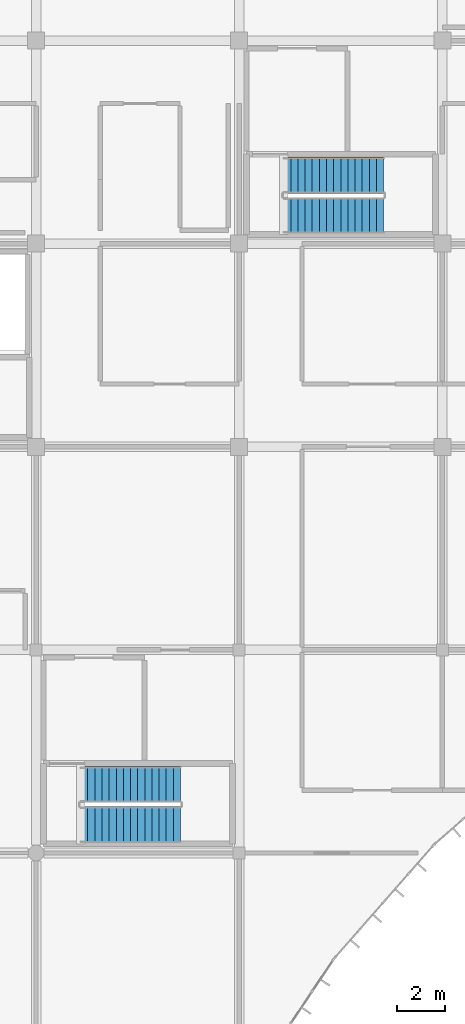
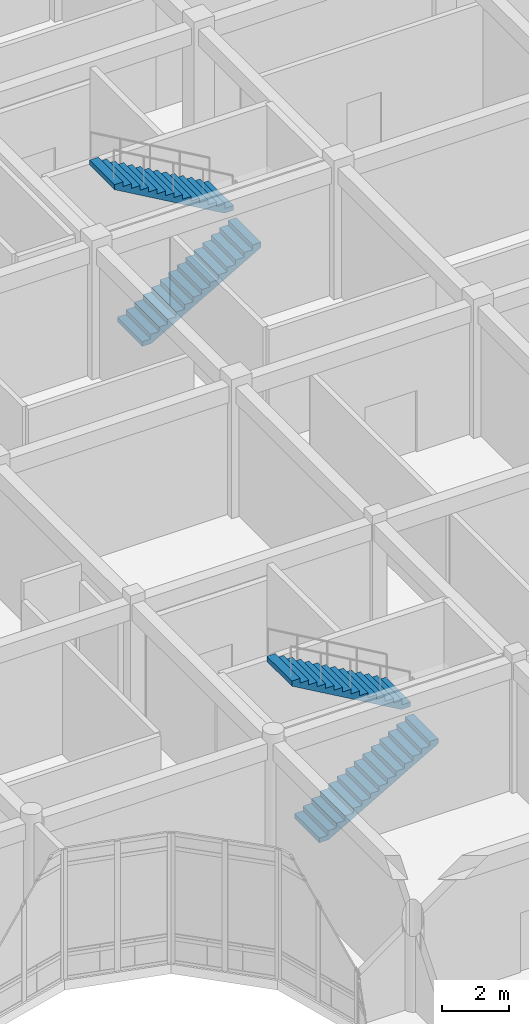
# One storey, part 114 of 134: 4 stair flights, 2 elements without a shape of their own.
"""IFC4 building model written with IfcOpenShell, lengths in metres."""

import ifcopenshell
import ifcopenshell.guid

model = None  # the IFC model being written
_history = None  # IfcOwnerHistory: only IFC2X3 demands one
_inside = {}  # id of a spatial element -> (the spatial element, [elements in it])
_under = {}  # id of a project, library or spatial element -> (it, [spatial elements below it])
_declared = {}  # id of a project -> (the project, [libraries it declares])
_typed = {}  # id of a type object -> (the type object, [elements of that type])
_made_of = {}  # id of a material, layer set ... -> (it, [elements and type objects made of it])


def new_model(schema):
    """Start an empty IFC model of exactly this schema.

    Asked for "IFC4X3", IfcOpenShell would pick the latest addendum, in which some entities
    have other attributes; the version numbers below select the first issue.
    IFC2X3 requires an IfcOwnerHistory on every rooted entity: one is made here for all.
    """
    global model, _history
    if schema == "IFC4X3":
        model = ifcopenshell.file(schema_version=(4, 3, 0, 0))
    else:
        model = ifcopenshell.file(schema=schema)
    _inside.clear()
    _under.clear()
    _declared.clear()
    _typed.clear()
    _made_of.clear()
    _history = None
    if model.schema == "IFC2X3":
        org = make("IfcOrganization", Name="unknown")
        user = make(
            "IfcPersonAndOrganization",
            ThePerson=make("IfcPerson", FamilyName="unknown"),
            TheOrganization=org,
        )
        app = make(
            "IfcApplication",
            ApplicationDeveloper=org,
            Version="unknown",
            ApplicationFullName="unknown",
            ApplicationIdentifier="unknown",
        )
        _history = make(
            "IfcOwnerHistory",
            OwningUser=user,
            OwningApplication=app,
            ChangeAction="ADDED",
            CreationDate=0,
        )
    return model


def make(cls, **values):
    """One entity of the class cls with the attributes given. An attribute that is None is left unset."""
    return model.create_entity(
        cls, **{name: value for name, value in values.items() if value is not None}
    )


def rooted(cls, **values):
    """An entity with a GlobalId (a new one), such as an element, a storey or a relation."""
    return make(cls, GlobalId=ifcopenshell.guid.new(), OwnerHistory=_history, **values)


def si_unit(unit_type, name, prefix=None):
    """IfcSIUnit, for example si_unit("LENGTHUNIT", "METRE", prefix="MILLI")."""
    return make("IfcSIUnit", UnitType=unit_type, Prefix=prefix, Name=name)


def assignment(units):
    """IfcUnitAssignment: the units of a project."""
    return None if units is None else make("IfcUnitAssignment", Units=units)


def point(xyz):
    """IfcCartesianPoint."""
    return None if xyz is None else make("IfcCartesianPoint", Coordinates=xyz)


def direction(xyz):
    """IfcDirection."""
    return None if xyz is None else make("IfcDirection", DirectionRatios=xyz)


def frame(location, z_axis=None, x_axis=None):
    """IfcAxis2Placement3D, a coordinate frame: its origin and axes. An axis left out is left unset."""
    return make(
        "IfcAxis2Placement3D",
        Location=point(location),
        Axis=direction(z_axis),
        RefDirection=direction(x_axis),
    )


def origin():
    """The frame at (0, 0, 0) with its axes left unset."""
    return frame((0.0, 0.0, 0.0))


def place(relative_to, where):
    """IfcLocalPlacement: puts the frame where relative to a parent placement (None: the world)."""
    return make(
        "IfcLocalPlacement", PlacementRelTo=relative_to, RelativePlacement=where
    )


def context(
    kind, dimensions, precision=None, world=None, true_north=None, identifier=None
):
    """IfcGeometricRepresentationContext, for example the 3D "Model" context."""
    return make(
        "IfcGeometricRepresentationContext",
        ContextIdentifier=identifier,
        ContextType=kind,
        CoordinateSpaceDimension=dimensions,
        Precision=precision,
        WorldCoordinateSystem=world,
        TrueNorth=true_north,
    )


def subcontext(parent, identifier, kind, view, scale=None):
    """IfcGeometricRepresentationSubContext, for example "Body" below "Model"."""
    return make(
        "IfcGeometricRepresentationSubContext",
        ContextIdentifier=identifier,
        ContextType=kind,
        ParentContext=parent,
        TargetScale=scale,
        TargetView=view,
    )


def project(units=None, contexts=None):
    """IfcProject with its units and contexts."""
    return rooted(
        "IfcProject",
        Name="project",
        RepresentationContexts=contexts,
        UnitsInContext=assignment(units),
    )


def spatial(cls, under=None, at=None, **own):
    """A site, building, storey or space (cls), placed at a placement, below another one or the project."""
    s = rooted(cls, ObjectPlacement=at, **own)
    if under is not None:
        _under.setdefault(under.id(), (under, []))[1].append(s)
    return s


def polyline(points):
    """IfcPolyline through the points."""
    return make("IfcPolyline", Points=[point(p) for p in points])


def outline(outer, holes=None, kind="AREA"):
    """IfcArbitraryClosedProfileDef: a profile drawn as a closed curve; with holes, ...WithVoids."""
    if holes is None:
        return make("IfcArbitraryClosedProfileDef", ProfileType=kind, OuterCurve=outer)
    return make(
        "IfcArbitraryProfileDefWithVoids",
        ProfileType=kind,
        OuterCurve=outer,
        InnerCurves=holes,
    )


def extrude(swept, where, along, depth):
    """IfcExtrudedAreaSolid: the profile swept, set in the frame where, extruded along a direction by depth."""
    return make(
        "IfcExtrudedAreaSolid",
        SweptArea=swept,
        Position=where,
        ExtrudedDirection=direction(along),
        Depth=depth,
    )


def shape(context_of_items, identifier, shape_type, items):
    """IfcShapeRepresentation: the items that make up one representation, for example the "Body"."""
    return make(
        "IfcShapeRepresentation",
        ContextOfItems=context_of_items,
        RepresentationIdentifier=identifier,
        RepresentationType=shape_type,
        Items=items,
    )


def material(Name=None, Category=None):
    """IfcMaterial."""
    return make("IfcMaterial", Name=Name, Category=Category)


def made_of(thing, what):
    """Note that an element or type object is made of a material, layer set ...; save() writes the relation."""
    if what is not None:
        _made_of.setdefault(what.id(), (what, []))[1].append(thing)
    return thing


def type_object(cls, material=None, **own):
    """A type object (cls), such as IfcWallType, which elements share."""
    return made_of(rooted(cls, **own), material)


def element(
    cls,
    number,
    at=None,
    inside=None,
    cuts=None,
    type_object=None,
    material=None,
    context=None,
    identifier="Body",
    shape_type=None,
    held_by="IfcProductDefinitionShape",
    body=None,
    shapes=None,
    **own,
):
    """One element of the class cls, such as IfcWall. Its Tag is "e" and its number.

    at: its placement. inside: the storey or other place that contains it. cuts: it is an
    opening in that element (IfcRelVoidsElement). A single representation is given by context,
    identifier, shape_type and body (its items); several are given by shapes. held_by: the class
    of the entity that holds the representations. save() writes the other relations.
    """
    e = rooted(cls, Tag="e%d" % number, ObjectPlacement=at, **own)
    if body is not None:
        shapes = [shape(context, identifier, shape_type, body)]
    if shapes is not None:
        e.Representation = make(held_by, Representations=shapes)
    if inside is not None:
        _inside.setdefault(inside.id(), (inside, []))[1].append(e)
    if cuts is not None:
        rooted(
            "IfcRelVoidsElement", RelatingBuildingElement=cuts, RelatedOpeningElement=e
        )
    if type_object is not None:
        _typed.setdefault(type_object.id(), (type_object, []))[1].append(e)
    return made_of(e, material)


def aggregate(whole, parts):
    """IfcRelAggregates: a whole, such as a stair, and the parts it consists of."""
    return rooted("IfcRelAggregates", RelatingObject=whole, RelatedObjects=parts)


def save(model, path):
    """Write the relations noted so far, then the file.

    IfcRelAggregates (storeys below a building ...), IfcRelContainedInSpatialStructure (elements
    in a storey), IfcRelDefinesByType, IfcRelAssociatesMaterial and IfcRelDeclares: one each for
    every whole, place, type object, material and project.
    """
    for whole, parts in _under.values():
        aggregate(whole, parts)
    for where, things in _inside.values():
        rooted(
            "IfcRelContainedInSpatialStructure",
            RelatedElements=things,
            RelatingStructure=where,
        )
    for kind, things in _typed.values():
        rooted("IfcRelDefinesByType", RelatedObjects=things, RelatingType=kind)
    for what, things in _made_of.values():
        rooted("IfcRelAssociatesMaterial", RelatedObjects=things, RelatingMaterial=what)
    for by, libraries in _declared.values():
        rooted("IfcRelDeclares", RelatingContext=by, RelatedDefinitions=libraries)
    model.write(path)


model = new_model("IFC4")

# Units and contexts
model_context = context("Model", 3, precision=1e-05, world=origin(), true_north=direction((0.0, 1.0)))
body_context = subcontext(model_context, "Body", "Model", "MODEL_VIEW")
ifc_project = project(units=[si_unit("LENGTHUNIT", "METRE"), si_unit("AREAUNIT", "SQUARE_METRE"), si_unit("VOLUMEUNIT", "CUBIC_METRE"), si_unit("PLANEANGLEUNIT", "RADIAN"), si_unit("MASSUNIT", "GRAM", prefix="KILO")], contexts=[model_context])

# Site, building, storey
site_placement = place(None, origin())
site = spatial("IfcSite", under=ifc_project, at=site_placement, CompositionType="ELEMENT")
building_placement = place(site_placement, origin())
building = spatial("IfcBuilding", under=site, at=building_placement, Name="Bramfleet General Hospital", CompositionType="ELEMENT")
storey_placement = place(building_placement, frame((0.0, 0.0, 9.300048828125)))
storey = spatial("IfcBuildingStorey", under=building, at=storey_placement, Name="L02", CompositionType="ELEMENT", Elevation=9.300048828125)

# Stair, stair flights
ifc_material = material(Name="Concrete C35/45", Category="concrete")
stair_type = type_object("IfcStairType", Name="STR-T1", PredefinedType="HALF_TURN_STAIR", material=ifc_material)
stair_1_placement = place(storey_placement, origin())
stair_1 = element("IfcStair", 1, at=stair_1_placement, inside=storey, type_object=stair_type, Name="L02 Core C9 (North-East Ward & Diagnostic Escape) Protected Escape Stair", PredefinedType="HALF_TURN_STAIR")
stair_flight_type = type_object("IfcStairFlightType", Name="STF-T1", PredefinedType="STRAIGHT", material=ifc_material)
stair_flight_1_placement = place(storey_placement, frame((136.239990234375, 101.969970703125, 0.0), z_axis=(0.0, 0.0, 1.0), x_axis=(1.0, 0.0, 0.0)))
stair_flight_1 = element("IfcStairFlight", 2, at=stair_flight_1_placement, type_object=stair_flight_type, Name="ST-C9 flight 1", NumberOfRisers=15, NumberOfTreads=14, PredefinedType="STRAIGHT", RiserHeight=0.17, TreadLength=0.295, context=body_context, shape_type="SweptSolid", body=[
    extrude(outline(polyline([(0.0, 0.0), (0.0, 0.169921875), (0.294921875, 0.169921875), (0.294921875, 0.340087890625), (0.590087890625, 0.340087890625), (0.590087890625, 0.510009765625), (0.885009765625, 0.510009765625), (0.885009765625, 0.679931640625), (1.179931640625, 0.679931640625), (1.179931640625, 0.85009765625), (1.47509765625, 0.85009765625), (1.47509765625, 1.02001953125), (1.77001953125, 1.02001953125), (1.77001953125, 1.18994140625), (2.06494140625, 1.18994140625), (2.06494140625, 1.360107421875), (2.360107421875, 1.360107421875), (2.360107421875, 1.530029296875), (2.655029296875, 1.530029296875), (2.655029296875, 1.699951171875), (2.949951171875, 1.699951171875), (2.949951171875, 1.8701171875), (3.2451171875, 1.8701171875), (3.2451171875, 2.0400390625), (3.5400390625, 2.0400390625), (3.5400390625, 2.2099609375), (3.8349609375, 2.2099609375), (3.8349609375, 2.3798828125), (4.1298828125, 2.3798828125), (4.1298828125, 2.550048828125), (4.1298828125, 2.195556640625), (0.3203125, 0.0), (0.0, 0.0)])), frame((0.0, 0.75, 0.0), z_axis=(0.0, -1.0, 0.0), x_axis=(1.0, 0.0, 0.0)), (0.0, 0.0, 1.0), 1.5),
])
stair_flight_2_placement = place(storey_placement, frame((140.3701171875, 103.6298828125, 2.550048828125), z_axis=(0.0, 0.0, 1.0), x_axis=(-1.0, 0.0, 0.0)))
stair_flight_2 = element("IfcStairFlight", 3, at=stair_flight_2_placement, type_object=stair_flight_type, Name="ST-C9 flight 2", NumberOfRisers=15, NumberOfTreads=14, PredefinedType="STRAIGHT", RiserHeight=0.17, TreadLength=0.295, context=body_context, shape_type="SweptSolid", body=[
    extrude(outline(polyline([(0.0, 0.0), (0.0, 0.169921875), (0.294921875, 0.169921875), (0.294921875, 0.340087890625), (0.590087890625, 0.340087890625), (0.590087890625, 0.510009765625), (0.885009765625, 0.510009765625), (0.885009765625, 0.679931640625), (1.179931640625, 0.679931640625), (1.179931640625, 0.85009765625), (1.47509765625, 0.85009765625), (1.47509765625, 1.02001953125), (1.77001953125, 1.02001953125), (1.77001953125, 1.18994140625), (2.06494140625, 1.18994140625), (2.06494140625, 1.360107421875), (2.360107421875, 1.360107421875), (2.360107421875, 1.530029296875), (2.655029296875, 1.530029296875), (2.655029296875, 1.699951171875), (2.949951171875, 1.699951171875), (2.949951171875, 1.8701171875), (3.2451171875, 1.8701171875), (3.2451171875, 2.0400390625), (3.5400390625, 2.0400390625), (3.5400390625, 2.2099609375), (3.8349609375, 2.2099609375), (3.8349609375, 2.3798828125), (4.1298828125, 2.3798828125), (4.1298828125, 2.550048828125), (4.1298828125, 2.195556640625), (0.3203125, 0.0), (0.0, 0.0)])), frame((0.0, 0.75, 0.0), z_axis=(0.0, -1.0, 0.0), x_axis=(1.0, 0.0, 0.0)), (0.0, 0.0, 1.0), 1.5),
])
aggregate(stair_1, [stair_flight_1, stair_flight_2])

stair_2_placement = place(storey_placement, origin())
stair_2 = element("IfcStair", 4, at=stair_2_placement, inside=storey, type_object=stair_type, Name="L02 Core C12 (East Diagnostic Base Escape) Protected Escape Stair", PredefinedType="HALF_TURN_STAIR")
stair_flight_3_placement = place(storey_placement, frame((127.840087890625, 76.77001953125, 0.0), z_axis=(0.0, 0.0, 1.0), x_axis=(1.0, 0.0, 0.0)))
stair_flight_3 = element("IfcStairFlight", 5, at=stair_flight_3_placement, type_object=stair_flight_type, Name="ST-C12 flight 1", NumberOfRisers=15, NumberOfTreads=14, PredefinedType="STRAIGHT", RiserHeight=0.17, TreadLength=0.295, context=body_context, shape_type="SweptSolid", body=[
    extrude(outline(polyline([(0.0, 0.0), (0.0, 0.169921875), (0.294921875, 0.169921875), (0.294921875, 0.340087890625), (0.590087890625, 0.340087890625), (0.590087890625, 0.510009765625), (0.885009765625, 0.510009765625), (0.885009765625, 0.679931640625), (1.179931640625, 0.679931640625), (1.179931640625, 0.85009765625), (1.47509765625, 0.85009765625), (1.47509765625, 1.02001953125), (1.77001953125, 1.02001953125), (1.77001953125, 1.18994140625), (2.06494140625, 1.18994140625), (2.06494140625, 1.360107421875), (2.360107421875, 1.360107421875), (2.360107421875, 1.530029296875), (2.655029296875, 1.530029296875), (2.655029296875, 1.699951171875), (2.949951171875, 1.699951171875), (2.949951171875, 1.8701171875), (3.2451171875, 1.8701171875), (3.2451171875, 2.0400390625), (3.5400390625, 2.0400390625), (3.5400390625, 2.2099609375), (3.8349609375, 2.2099609375), (3.8349609375, 2.3798828125), (4.1298828125, 2.3798828125), (4.1298828125, 2.550048828125), (4.1298828125, 2.195556640625), (0.3203125, 0.0), (0.0, 0.0)])), frame((0.0, 0.75, 0.0), z_axis=(0.0, -1.0, 0.0), x_axis=(1.0, 0.0, 0.0)), (0.0, 0.0, 1.0), 1.5),
])
stair_flight_4_placement = place(storey_placement, frame((131.969970703125, 78.429931640625, 2.550048828125), z_axis=(0.0, 0.0, 1.0), x_axis=(-1.0, 0.0, 0.0)))
stair_flight_4 = element("IfcStairFlight", 6, at=stair_flight_4_placement, type_object=stair_flight_type, Name="ST-C12 flight 2", NumberOfRisers=15, NumberOfTreads=14, PredefinedType="STRAIGHT", RiserHeight=0.17, TreadLength=0.295, context=body_context, shape_type="SweptSolid", body=[
    extrude(outline(polyline([(0.0, 0.0), (0.0, 0.169921875), (0.294921875, 0.169921875), (0.294921875, 0.340087890625), (0.590087890625, 0.340087890625), (0.590087890625, 0.510009765625), (0.885009765625, 0.510009765625), (0.885009765625, 0.679931640625), (1.179931640625, 0.679931640625), (1.179931640625, 0.85009765625), (1.47509765625, 0.85009765625), (1.47509765625, 1.02001953125), (1.77001953125, 1.02001953125), (1.77001953125, 1.18994140625), (2.06494140625, 1.18994140625), (2.06494140625, 1.360107421875), (2.360107421875, 1.360107421875), (2.360107421875, 1.530029296875), (2.655029296875, 1.530029296875), (2.655029296875, 1.699951171875), (2.949951171875, 1.699951171875), (2.949951171875, 1.8701171875), (3.2451171875, 1.8701171875), (3.2451171875, 2.0400390625), (3.5400390625, 2.0400390625), (3.5400390625, 2.2099609375), (3.8349609375, 2.2099609375), (3.8349609375, 2.3798828125), (4.1298828125, 2.3798828125), (4.1298828125, 2.550048828125), (4.1298828125, 2.195556640625), (0.3203125, 0.0), (0.0, 0.0)])), frame((0.0, 0.75, 0.0), z_axis=(0.0, -1.0, 0.0), x_axis=(1.0, 0.0, 0.0)), (0.0, 0.0, 1.0), 1.5),
])
aggregate(stair_2, [stair_flight_3, stair_flight_4])

save(model, "model.ifc")
